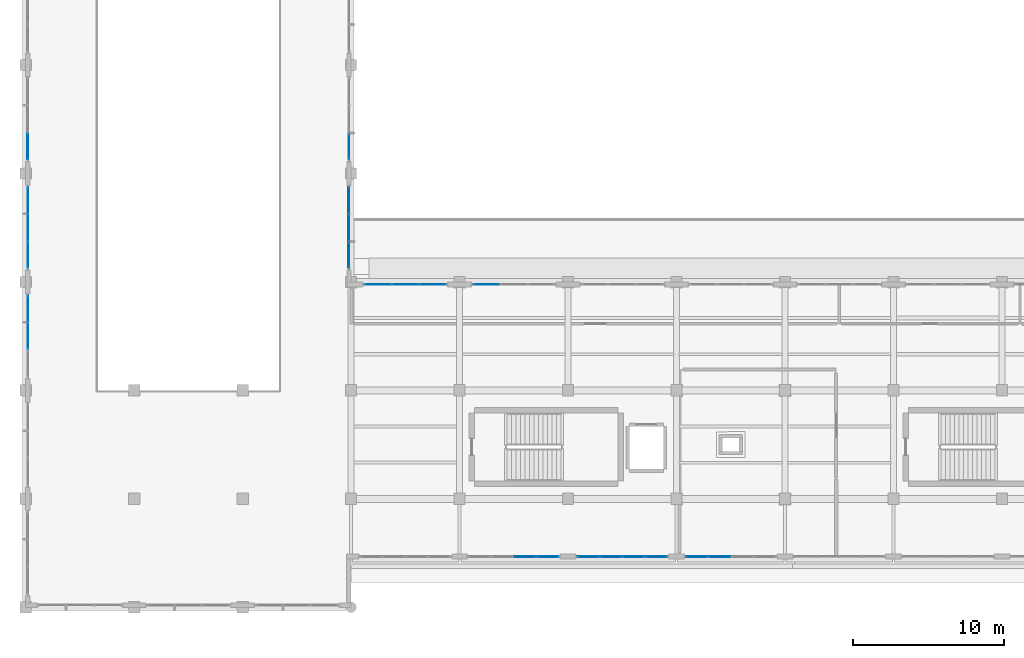
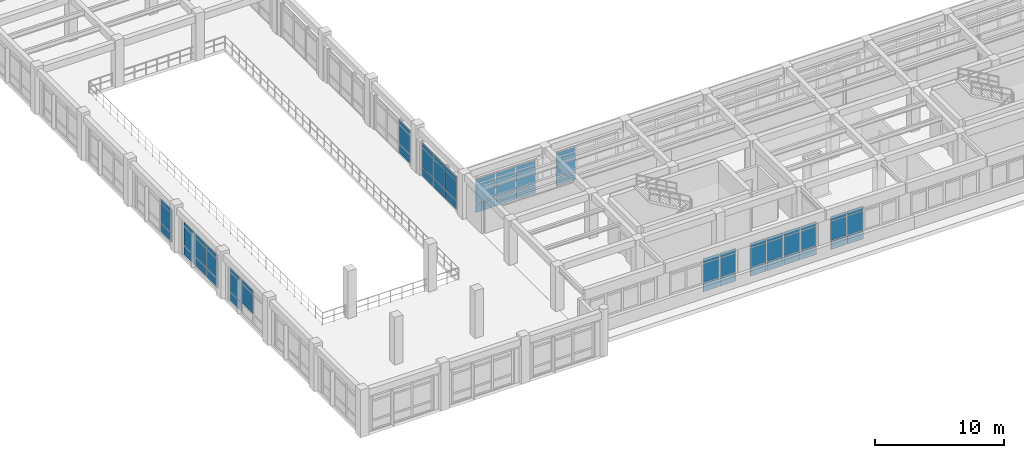
# One storey, part 33 of 64: 65 plates, 10 elements without a shape of their own.
"""IFC4 building model written with IfcOpenShell, lengths in metres."""

from ifc_helpers import new_model, si_unit, direction, frame, origin, origin_2d, place, context, subcontext, project, spatial, rectangle, extrude, material, layer, layer_set, type_object, element, aggregate, save


model = new_model("IFC4")

# Units and contexts
model_context = context("Model", 3, precision=1e-05, world=origin(), true_north=direction((0.0, 1.0)))
body_context = subcontext(model_context, "Body", "Model", "MODEL_VIEW")
ifc_project = project(units=[si_unit("LENGTHUNIT", "METRE"), si_unit("AREAUNIT", "SQUARE_METRE"), si_unit("VOLUMEUNIT", "CUBIC_METRE"), si_unit("PLANEANGLEUNIT", "RADIAN"), si_unit("MASSUNIT", "GRAM", prefix="KILO")], contexts=[model_context])

# Site, building, storey
site_placement = place(None, origin())
site = spatial("IfcSite", under=ifc_project, at=site_placement, CompositionType="ELEMENT")
building_placement = place(site_placement, origin())
building = spatial("IfcBuilding", under=site, at=building_placement, Name="Solenvale Faculty of Natural Sciences", CompositionType="ELEMENT")
storey_placement = place(building_placement, frame((0.0, 0.0, 18.0)))
storey = spatial("IfcBuildingStorey", under=building, at=storey_placement, Name="L04", CompositionType="ELEMENT", Elevation=18.0)

# Curtain wall, plates
ifc_material_1 = material(Name="Anodised bronze aluminium", Category="aluminium")
ifc_layer_1 = layer(ifc_material_1, 0.215087890625)
ifc_layer_set_1 = layer_set([ifc_layer_1], Name="Anodised bronze aluminium")
curtain_wall_type_1 = type_object("IfcCurtainWallType", Name="CW-ATR-UNIT", PredefinedType="USERDEFINED", material=ifc_layer_set_1)
curtain_wall_1_placement = place(storey_placement, origin())
curtain_wall_1 = element("IfcCurtainWall", 1, at=curtain_wall_1_placement, inside=storey, type_object=curtain_wall_type_1, Name="L04 Curtain Wall CW-L04-P1-E1-B2", ObjectType="UNITISED CURTAIN WALL", PredefinedType="USERDEFINED")
ifc_material_2 = material(Name="North-light skylight glass", Category="glass")
ifc_layer_2 = layer(ifc_material_2, 0.028076171875)
ifc_layer_set_2 = layer_set([ifc_layer_2], Name="North-light skylight glass")
plate_type_1 = type_object("IfcPlateType", Name="CWP-PNL-28", PredefinedType="CURTAIN_PANEL", material=ifc_layer_set_2)
plate_1_placement = place(storey_placement, frame((57.45751953125, 44.9853515625, 0.074951171875), z_axis=(0.0, 0.0, 1.0), x_axis=(0.0, 1.0, 0.0)))
plate_1 = element("IfcPlate", 2, at=plate_1_placement, type_object=plate_type_1, Name="CW-01 panel 1.1", PredefinedType="CURTAIN_PANEL", context=body_context, shape_type="SweptSolid", body=[
    extrude(rectangle(XDim=1.720947265625, YDim=0.028076171875, at=origin_2d()), origin(), (0.0, 0.0, 1.0), 0.78759765625),
])
plate_2_placement = place(storey_placement, frame((57.45751953125, 44.9853515625, 0.9375), z_axis=(0.0, 0.0, 1.0), x_axis=(0.0, 1.0, 0.0)))
plate_2 = element("IfcPlate", 3, at=plate_2_placement, type_object=plate_type_1, Name="CW-01 panel 1.2", PredefinedType="CURTAIN_PANEL", context=body_context, shape_type="SweptSolid", body=[
    extrude(rectangle(XDim=1.720947265625, YDim=0.028076171875, at=origin_2d()), origin(), (0.0, 0.0, 1.0), 1.784912109375),
])
plate_3_placement = place(storey_placement, frame((57.45751953125, 44.9853515625, 2.79736328125), z_axis=(0.0, 0.0, 1.0), x_axis=(0.0, 1.0, 0.0)))
plate_3 = element("IfcPlate", 4, at=plate_3_placement, type_object=plate_type_1, Name="CW-01 panel 1.3", PredefinedType="CURTAIN_PANEL", context=body_context, shape_type="SweptSolid", body=[
    extrude(rectangle(XDim=1.720947265625, YDim=0.028076171875, at=origin_2d()), origin(), (0.0, 0.0, 1.0), 0.387451171875),
])
aggregate(curtain_wall_1, [plate_1, plate_2, plate_3])

curtain_wall_2_placement = place(storey_placement, origin())
curtain_wall_2 = element("IfcCurtainWall", 5, at=curtain_wall_2_placement, inside=storey, type_object=curtain_wall_type_1, Name="L04 Curtain Wall CW-L04-P1-E3-B8", ObjectType="UNITISED CURTAIN WALL", PredefinedType="USERDEFINED")
plate_4_placement = place(storey_placement, frame((36.142578125, 41.41455078125, 0.074951171875), z_axis=(0.0, 0.0, 1.0), x_axis=(0.0, -1.0, 0.0)))
plate_4 = element("IfcPlate", 6, at=plate_4_placement, type_object=plate_type_1, Name="CW-01 panel 1.1", PredefinedType="CURTAIN_PANEL", context=body_context, shape_type="SweptSolid", body=[
    extrude(rectangle(XDim=1.720947265625, YDim=0.028076171875, at=origin_2d()), origin(), (0.0, 0.0, 1.0), 0.78759765625),
])
plate_5_placement = place(storey_placement, frame((36.142578125, 41.41455078125, 0.9375), z_axis=(0.0, 0.0, 1.0), x_axis=(0.0, -1.0, 0.0)))
plate_5 = element("IfcPlate", 7, at=plate_5_placement, type_object=plate_type_1, Name="CW-01 panel 1.2", PredefinedType="CURTAIN_PANEL", context=body_context, shape_type="SweptSolid", body=[
    extrude(rectangle(XDim=1.720947265625, YDim=0.028076171875, at=origin_2d()), origin(), (0.0, 0.0, 1.0), 1.784912109375),
])
plate_6_placement = place(storey_placement, frame((36.142578125, 41.41455078125, 2.79736328125), z_axis=(0.0, 0.0, 1.0), x_axis=(0.0, -1.0, 0.0)))
plate_6 = element("IfcPlate", 8, at=plate_6_placement, type_object=plate_type_1, Name="CW-01 panel 1.3", PredefinedType="CURTAIN_PANEL", context=body_context, shape_type="SweptSolid", body=[
    extrude(rectangle(XDim=1.720947265625, YDim=0.028076171875, at=origin_2d()), origin(), (0.0, 0.0, 1.0), 0.387451171875),
])
plate_7_placement = place(storey_placement, frame((36.142578125, 39.60009765625, 0.074951171875), z_axis=(0.0, 0.0, 1.0), x_axis=(0.0, -1.0, 0.0)))
plate_7 = element("IfcPlate", 9, at=plate_7_placement, type_object=plate_type_1, Name="CW-01 panel 2.1", PredefinedType="CURTAIN_PANEL", context=body_context, shape_type="SweptSolid", body=[
    extrude(rectangle(XDim=1.75830078125, YDim=0.028076171875, at=origin_2d()), origin(), (0.0, 0.0, 1.0), 0.78759765625),
])
plate_8_placement = place(storey_placement, frame((36.142578125, 39.60009765625, 0.9375), z_axis=(0.0, 0.0, 1.0), x_axis=(0.0, -1.0, 0.0)))
plate_8 = element("IfcPlate", 10, at=plate_8_placement, type_object=plate_type_1, Name="CW-01 panel 2.2", PredefinedType="CURTAIN_PANEL", context=body_context, shape_type="SweptSolid", body=[
    extrude(rectangle(XDim=1.75830078125, YDim=0.028076171875, at=origin_2d()), origin(), (0.0, 0.0, 1.0), 1.784912109375),
])
plate_9_placement = place(storey_placement, frame((36.142578125, 39.60009765625, 2.79736328125), z_axis=(0.0, 0.0, 1.0), x_axis=(0.0, -1.0, 0.0)))
plate_9 = element("IfcPlate", 11, at=plate_9_placement, type_object=plate_type_1, Name="CW-01 panel 2.3", PredefinedType="CURTAIN_PANEL", context=body_context, shape_type="SweptSolid", body=[
    extrude(rectangle(XDim=1.75830078125, YDim=0.028076171875, at=origin_2d()), origin(), (0.0, 0.0, 1.0), 0.387451171875),
])
plate_10_placement = place(storey_placement, frame((36.142578125, 37.785400390625, 0.074951171875), z_axis=(0.0, 0.0, 1.0), x_axis=(0.0, -1.0, 0.0)))
plate_10 = element("IfcPlate", 12, at=plate_10_placement, type_object=plate_type_1, Name="CW-01 panel 3.1", PredefinedType="CURTAIN_PANEL", context=body_context, shape_type="SweptSolid", body=[
    extrude(rectangle(XDim=1.720947265625, YDim=0.028076171875, at=origin_2d()), origin(), (0.0, 0.0, 1.0), 0.78759765625),
])
plate_11_placement = place(storey_placement, frame((36.142578125, 37.785400390625, 0.9375), z_axis=(0.0, 0.0, 1.0), x_axis=(0.0, -1.0, 0.0)))
plate_11 = element("IfcPlate", 13, at=plate_11_placement, type_object=plate_type_1, Name="CW-01 panel 3.2", PredefinedType="CURTAIN_PANEL", context=body_context, shape_type="SweptSolid", body=[
    extrude(rectangle(XDim=1.720947265625, YDim=0.028076171875, at=origin_2d()), origin(), (0.0, 0.0, 1.0), 1.784912109375),
])
plate_12_placement = place(storey_placement, frame((36.142578125, 37.785400390625, 2.79736328125), z_axis=(0.0, 0.0, 1.0), x_axis=(0.0, -1.0, 0.0)))
plate_12 = element("IfcPlate", 14, at=plate_12_placement, type_object=plate_type_1, Name="CW-01 panel 3.3", PredefinedType="CURTAIN_PANEL", context=body_context, shape_type="SweptSolid", body=[
    extrude(rectangle(XDim=1.720947265625, YDim=0.028076171875, at=origin_2d()), origin(), (0.0, 0.0, 1.0), 0.387451171875),
])
aggregate(curtain_wall_2, [plate_4, plate_5, plate_6, plate_7, plate_8, plate_9, plate_10, plate_11, plate_12])

curtain_wall_3_placement = place(storey_placement, origin())
curtain_wall_3 = element("IfcCurtainWall", 15, at=curtain_wall_3_placement, inside=storey, type_object=curtain_wall_type_1, Name="L04 Curtain Wall CW-L04-P1-E3-B9", ObjectType="UNITISED CURTAIN WALL", PredefinedType="USERDEFINED")
ifc_material_3 = material(Name="Triple low-E insulated glass", Category="glass")
ifc_layer_3 = layer(ifc_material_3, 0.031982421875)
ifc_layer_set_3 = layer_set([ifc_layer_3], Name="Triple low-E insulated glass")
plate_type_2 = type_object("IfcPlateType", Name="CWP-PNL-32", PredefinedType="CURTAIN_PANEL", material=ifc_layer_set_3)
plate_13_placement = place(storey_placement, frame((36.142578125, 34.214599609375, 0.074951171875), z_axis=(0.0, 0.0, 1.0), x_axis=(0.0, -1.0, 0.0)))
plate_13 = element("IfcPlate", 16, at=plate_13_placement, type_object=plate_type_2, Name="CW-01 panel 1.1", PredefinedType="CURTAIN_PANEL", context=body_context, shape_type="SweptSolid", body=[
    extrude(rectangle(XDim=1.720947265625, YDim=0.031982421875, at=origin_2d()), origin(), (0.0, 0.0, 1.0), 0.78759765625),
])
plate_14_placement = place(storey_placement, frame((36.142578125, 34.214599609375, 0.9375), z_axis=(0.0, 0.0, 1.0), x_axis=(0.0, -1.0, 0.0)))
plate_14 = element("IfcPlate", 17, at=plate_14_placement, type_object=plate_type_2, Name="CW-01 panel 1.2", PredefinedType="CURTAIN_PANEL", context=body_context, shape_type="SweptSolid", body=[
    extrude(rectangle(XDim=1.720947265625, YDim=0.031982421875, at=origin_2d()), origin(), (0.0, 0.0, 1.0), 1.784912109375),
])
plate_15_placement = place(storey_placement, frame((36.142578125, 34.214599609375, 2.79736328125), z_axis=(0.0, 0.0, 1.0), x_axis=(0.0, -1.0, 0.0)))
plate_15 = element("IfcPlate", 18, at=plate_15_placement, type_object=plate_type_2, Name="CW-01 panel 1.3", PredefinedType="CURTAIN_PANEL", context=body_context, shape_type="SweptSolid", body=[
    extrude(rectangle(XDim=1.720947265625, YDim=0.031982421875, at=origin_2d()), origin(), (0.0, 0.0, 1.0), 0.387451171875),
])
plate_16_placement = place(storey_placement, frame((36.142578125, 32.39990234375, 0.9375), z_axis=(0.0, 0.0, 1.0), x_axis=(0.0, -1.0, 0.0)))
plate_16 = element("IfcPlate", 19, at=plate_16_placement, type_object=plate_type_2, Name="CW-01 panel 2.2", PredefinedType="CURTAIN_PANEL", context=body_context, shape_type="SweptSolid", body=[
    extrude(rectangle(XDim=1.75830078125, YDim=0.031982421875, at=origin_2d()), origin(), (0.0, 0.0, 1.0), 1.784912109375),
])
plate_17_placement = place(storey_placement, frame((36.142578125, 32.39990234375, 2.79736328125), z_axis=(0.0, 0.0, 1.0), x_axis=(0.0, -1.0, 0.0)))
plate_17 = element("IfcPlate", 20, at=plate_17_placement, type_object=plate_type_2, Name="CW-01 panel 2.3", PredefinedType="CURTAIN_PANEL", context=body_context, shape_type="SweptSolid", body=[
    extrude(rectangle(XDim=1.75830078125, YDim=0.031982421875, at=origin_2d()), origin(), (0.0, 0.0, 1.0), 0.387451171875),
])
aggregate(curtain_wall_3, [plate_13, plate_14, plate_15, plate_16, plate_17])

ifc_layer_4 = layer(ifc_material_1, 0.18994140625)
ifc_layer_set_4 = layer_set([ifc_layer_4], Name="Anodised bronze aluminium")
curtain_wall_type_2 = type_object("IfcCurtainWallType", Name="CW-TRAY-REC", PredefinedType="USERDEFINED", material=ifc_layer_set_4)
curtain_wall_4_placement = place(storey_placement, origin())
curtain_wall_4 = element("IfcCurtainWall", 21, at=curtain_wall_4_placement, inside=storey, type_object=curtain_wall_type_2, Name="L04 Curtain Wall CW-L04-P1-E8-B7", ObjectType="UNITISED CURTAIN WALL", PredefinedType="USERDEFINED")
ifc_layer_5 = layer(ifc_material_3, 0.0439453125)
ifc_layer_set_5 = layer_set([ifc_layer_5], Name="Triple low-E insulated glass")
plate_type_3 = type_object("IfcPlateType", Name="CWP-PNL-44", PredefinedType="CURTAIN_PANEL", material=ifc_layer_set_5)
plate_18_placement = place(storey_placement, frame((66.58544921875, 35.83740234375, 0.074951171875), z_axis=(0.0, 0.0, 1.0), x_axis=(-1.0, 0.0, 0.0)))
plate_18 = element("IfcPlate", 22, at=plate_18_placement, type_object=plate_type_3, Name="CW-02 panel 3.1", PredefinedType="CURTAIN_PANEL", context=body_context, shape_type="SweptSolid", body=[
    extrude(rectangle(XDim=1.720947265625, YDim=0.0439453125, at=origin_2d()), origin(), (0.0, 0.0, 1.0), 0.78759765625),
])
plate_19_placement = place(storey_placement, frame((66.58544921875, 35.83740234375, 0.9375), z_axis=(0.0, 0.0, 1.0), x_axis=(-1.0, 0.0, 0.0)))
plate_19 = element("IfcPlate", 23, at=plate_19_placement, type_object=plate_type_3, Name="CW-02 panel 3.2", PredefinedType="CURTAIN_PANEL", context=body_context, shape_type="SweptSolid", body=[
    extrude(rectangle(XDim=1.720947265625, YDim=0.0439453125, at=origin_2d()), origin(), (0.0, 0.0, 1.0), 1.784912109375),
])
plate_20_placement = place(storey_placement, frame((66.58544921875, 35.83740234375, 2.79736328125), z_axis=(0.0, 0.0, 1.0), x_axis=(-1.0, 0.0, 0.0)))
plate_20 = element("IfcPlate", 24, at=plate_20_placement, type_object=plate_type_3, Name="CW-02 panel 3.3", PredefinedType="CURTAIN_PANEL", context=body_context, shape_type="SweptSolid", body=[
    extrude(rectangle(XDim=1.720947265625, YDim=0.0439453125, at=origin_2d()), origin(), (0.0, 0.0, 1.0), 0.387451171875),
])
aggregate(curtain_wall_4, [plate_18, plate_19, plate_20])

curtain_wall_5_placement = place(storey_placement, origin())
curtain_wall_5 = element("IfcCurtainWall", 25, at=curtain_wall_5_placement, inside=storey, type_object=curtain_wall_type_2, Name="L04 Curtain Wall CW-L04-P1-E6-B2", ObjectType="UNITISED CURTAIN WALL", PredefinedType="USERDEFINED")
ifc_layer_6 = layer(ifc_material_1, 0.048095703125)
ifc_layer_set_6 = layer_set([ifc_layer_6], Name="Anodised bronze aluminium")
plate_type_4 = type_object("IfcPlateType", Name="CWP-PNL-48", PredefinedType="CURTAIN_PANEL", material=ifc_layer_set_6)
plate_21_placement = place(storey_placement, frame((69.155029296875, 17.762451171875, 0.074951171875), z_axis=(0.0, 0.0, 1.0), x_axis=(1.0, 0.0, 0.0)))
plate_21 = element("IfcPlate", 26, at=plate_21_placement, type_object=plate_type_4, Name="CW-02 panel 3.1", PredefinedType="CURTAIN_PANEL", context=body_context, shape_type="SweptSolid", body=[
    extrude(rectangle(XDim=1.43505859375, YDim=0.048095703125, at=origin_2d()), origin(), (0.0, 0.0, 1.0), 0.78759765625),
])
plate_22_placement = place(storey_placement, frame((69.155029296875, 17.762451171875, 0.9375), z_axis=(0.0, 0.0, 1.0), x_axis=(1.0, 0.0, 0.0)))
plate_22 = element("IfcPlate", 27, at=plate_22_placement, type_object=plate_type_4, Name="CW-02 panel 3.2", PredefinedType="CURTAIN_PANEL", context=body_context, shape_type="SweptSolid", body=[
    extrude(rectangle(XDim=1.43505859375, YDim=0.048095703125, at=origin_2d()), origin(), (0.0, 0.0, 1.0), 1.784912109375),
])
plate_23_placement = place(storey_placement, frame((69.155029296875, 17.762451171875, 2.79736328125), z_axis=(0.0, 0.0, 1.0), x_axis=(1.0, 0.0, 0.0)))
plate_23 = element("IfcPlate", 28, at=plate_23_placement, type_object=plate_type_4, Name="CW-02 panel 3.3", PredefinedType="CURTAIN_PANEL", context=body_context, shape_type="SweptSolid", body=[
    extrude(rectangle(XDim=1.43505859375, YDim=0.048095703125, at=origin_2d()), origin(), (0.0, 0.0, 1.0), 0.387451171875),
])
plate_24_placement = place(storey_placement, frame((70.646240234375, 17.762451171875, 0.074951171875), z_axis=(0.0, 0.0, 1.0), x_axis=(1.0, 0.0, 0.0)))
plate_24 = element("IfcPlate", 29, at=plate_24_placement, type_object=plate_type_4, Name="CW-02 panel 4.1", PredefinedType="CURTAIN_PANEL", context=body_context, shape_type="SweptSolid", body=[
    extrude(rectangle(XDim=1.3974609375, YDim=0.048095703125, at=origin_2d()), origin(), (0.0, 0.0, 1.0), 0.78759765625),
])
plate_25_placement = place(storey_placement, frame((70.646240234375, 17.762451171875, 0.9375), z_axis=(0.0, 0.0, 1.0), x_axis=(1.0, 0.0, 0.0)))
plate_25 = element("IfcPlate", 30, at=plate_25_placement, type_object=plate_type_4, Name="CW-02 panel 4.2", PredefinedType="CURTAIN_PANEL", context=body_context, shape_type="SweptSolid", body=[
    extrude(rectangle(XDim=1.3974609375, YDim=0.048095703125, at=origin_2d()), origin(), (0.0, 0.0, 1.0), 1.784912109375),
])
plate_26_placement = place(storey_placement, frame((70.646240234375, 17.762451171875, 2.79736328125), z_axis=(0.0, 0.0, 1.0), x_axis=(1.0, 0.0, 0.0)))
plate_26 = element("IfcPlate", 31, at=plate_26_placement, type_object=plate_type_4, Name="CW-02 panel 4.3", PredefinedType="CURTAIN_PANEL", context=body_context, shape_type="SweptSolid", body=[
    extrude(rectangle(XDim=1.3974609375, YDim=0.048095703125, at=origin_2d()), origin(), (0.0, 0.0, 1.0), 0.387451171875),
])
aggregate(curtain_wall_5, [plate_21, plate_22, plate_23, plate_24, plate_25, plate_26])

curtain_wall_6_placement = place(storey_placement, origin())
curtain_wall_6 = element("IfcCurtainWall", 32, at=curtain_wall_6_placement, inside=storey, type_object=curtain_wall_type_2, Name="L04 Curtain Wall CW-L04-P1-E8-B8", ObjectType="UNITISED CURTAIN WALL", PredefinedType="USERDEFINED")
plate_27_placement = place(storey_placement, frame((63.0146484375, 35.83740234375, 0.074951171875), z_axis=(0.0, 0.0, 1.0), x_axis=(-1.0, 0.0, 0.0)))
plate_27 = element("IfcPlate", 33, at=plate_27_placement, type_object=plate_type_4, Name="CW-02 panel 1.1", PredefinedType="CURTAIN_PANEL", context=body_context, shape_type="SweptSolid", body=[
    extrude(rectangle(XDim=1.720947265625, YDim=0.048095703125, at=origin_2d()), origin(), (0.0, 0.0, 1.0), 0.78759765625),
])
plate_28_placement = place(storey_placement, frame((63.0146484375, 35.83740234375, 0.9375), z_axis=(0.0, 0.0, 1.0), x_axis=(-1.0, 0.0, 0.0)))
plate_28 = element("IfcPlate", 34, at=plate_28_placement, type_object=plate_type_4, Name="CW-02 panel 1.2", PredefinedType="CURTAIN_PANEL", context=body_context, shape_type="SweptSolid", body=[
    extrude(rectangle(XDim=1.720947265625, YDim=0.048095703125, at=origin_2d()), origin(), (0.0, 0.0, 1.0), 1.784912109375),
])
plate_29_placement = place(storey_placement, frame((63.0146484375, 35.83740234375, 2.79736328125), z_axis=(0.0, 0.0, 1.0), x_axis=(-1.0, 0.0, 0.0)))
plate_29 = element("IfcPlate", 35, at=plate_29_placement, type_object=plate_type_4, Name="CW-02 panel 1.3", PredefinedType="CURTAIN_PANEL", context=body_context, shape_type="SweptSolid", body=[
    extrude(rectangle(XDim=1.720947265625, YDim=0.048095703125, at=origin_2d()), origin(), (0.0, 0.0, 1.0), 0.387451171875),
])
plate_30_placement = place(storey_placement, frame((61.199951171875, 35.83740234375, 0.074951171875), z_axis=(0.0, 0.0, 1.0), x_axis=(-1.0, 0.0, 0.0)))
plate_30 = element("IfcPlate", 36, at=plate_30_placement, type_object=plate_type_4, Name="CW-02 panel 2.1", PredefinedType="CURTAIN_PANEL", context=body_context, shape_type="SweptSolid", body=[
    extrude(rectangle(XDim=1.75830078125, YDim=0.048095703125, at=origin_2d()), origin(), (0.0, 0.0, 1.0), 0.78759765625),
])
plate_31_placement = place(storey_placement, frame((61.199951171875, 35.83740234375, 0.9375), z_axis=(0.0, 0.0, 1.0), x_axis=(-1.0, 0.0, 0.0)))
plate_31 = element("IfcPlate", 37, at=plate_31_placement, type_object=plate_type_4, Name="CW-02 panel 2.2", PredefinedType="CURTAIN_PANEL", context=body_context, shape_type="SweptSolid", body=[
    extrude(rectangle(XDim=1.75830078125, YDim=0.048095703125, at=origin_2d()), origin(), (0.0, 0.0, 1.0), 1.784912109375),
])
plate_32_placement = place(storey_placement, frame((61.199951171875, 35.83740234375, 2.79736328125), z_axis=(0.0, 0.0, 1.0), x_axis=(-1.0, 0.0, 0.0)))
plate_32 = element("IfcPlate", 38, at=plate_32_placement, type_object=plate_type_4, Name="CW-02 panel 2.3", PredefinedType="CURTAIN_PANEL", context=body_context, shape_type="SweptSolid", body=[
    extrude(rectangle(XDim=1.75830078125, YDim=0.048095703125, at=origin_2d()), origin(), (0.0, 0.0, 1.0), 0.387451171875),
])
plate_33_placement = place(storey_placement, frame((59.385498046875, 35.83740234375, 0.074951171875), z_axis=(0.0, 0.0, 1.0), x_axis=(-1.0, 0.0, 0.0)))
plate_33 = element("IfcPlate", 39, at=plate_33_placement, type_object=plate_type_4, Name="CW-02 panel 3.1", PredefinedType="CURTAIN_PANEL", context=body_context, shape_type="SweptSolid", body=[
    extrude(rectangle(XDim=1.720947265625, YDim=0.048095703125, at=origin_2d()), origin(), (0.0, 0.0, 1.0), 0.78759765625),
])
plate_34_placement = place(storey_placement, frame((59.385498046875, 35.83740234375, 0.9375), z_axis=(0.0, 0.0, 1.0), x_axis=(-1.0, 0.0, 0.0)))
plate_34 = element("IfcPlate", 40, at=plate_34_placement, type_object=plate_type_4, Name="CW-02 panel 3.2", PredefinedType="CURTAIN_PANEL", context=body_context, shape_type="SweptSolid", body=[
    extrude(rectangle(XDim=1.720947265625, YDim=0.048095703125, at=origin_2d()), origin(), (0.0, 0.0, 1.0), 1.784912109375),
])
plate_35_placement = place(storey_placement, frame((59.385498046875, 35.83740234375, 2.79736328125), z_axis=(0.0, 0.0, 1.0), x_axis=(-1.0, 0.0, 0.0)))
plate_35 = element("IfcPlate", 41, at=plate_35_placement, type_object=plate_type_4, Name="CW-02 panel 3.3", PredefinedType="CURTAIN_PANEL", context=body_context, shape_type="SweptSolid", body=[
    extrude(rectangle(XDim=1.720947265625, YDim=0.048095703125, at=origin_2d()), origin(), (0.0, 0.0, 1.0), 0.387451171875),
])
aggregate(curtain_wall_6, [plate_27, plate_28, plate_29, plate_30, plate_31, plate_32, plate_33, plate_34, plate_35])

curtain_wall_7_placement = place(storey_placement, origin())
curtain_wall_7 = element("IfcCurtainWall", 42, at=curtain_wall_7_placement, inside=storey, type_object=curtain_wall_type_2, Name="L04 Curtain Wall CW-L04-P1-E6-B3", ObjectType="UNITISED CURTAIN WALL", PredefinedType="USERDEFINED")
ifc_layer_7 = layer(ifc_material_1, 0.053955078125)
ifc_layer_set_7 = layer_set([ifc_layer_7], Name="Anodised bronze aluminium")
plate_type_5 = type_object("IfcPlateType", Name="CWP-PNL-54", PredefinedType="CURTAIN_PANEL", material=ifc_layer_set_7)
plate_36_placement = place(storey_placement, frame((73.353759765625, 17.762451171875, 0.074951171875), z_axis=(0.0, 0.0, 1.0), x_axis=(1.0, 0.0, 0.0)))
plate_36 = element("IfcPlate", 43, at=plate_36_placement, type_object=plate_type_5, Name="CW-02 panel 1.1", PredefinedType="CURTAIN_PANEL", context=body_context, shape_type="SweptSolid", body=[
    extrude(rectangle(XDim=1.3974609375, YDim=0.053955078125, at=origin_2d()), origin(), (0.0, 0.0, 1.0), 0.78759765625),
])
plate_37_placement = place(storey_placement, frame((73.353759765625, 17.762451171875, 0.9375), z_axis=(0.0, 0.0, 1.0), x_axis=(1.0, 0.0, 0.0)))
plate_37 = element("IfcPlate", 44, at=plate_37_placement, type_object=plate_type_5, Name="CW-02 panel 1.2", PredefinedType="CURTAIN_PANEL", context=body_context, shape_type="SweptSolid", body=[
    extrude(rectangle(XDim=1.3974609375, YDim=0.053955078125, at=origin_2d()), origin(), (0.0, 0.0, 1.0), 1.784912109375),
])
plate_38_placement = place(storey_placement, frame((73.353759765625, 17.762451171875, 2.79736328125), z_axis=(0.0, 0.0, 1.0), x_axis=(1.0, 0.0, 0.0)))
plate_38 = element("IfcPlate", 45, at=plate_38_placement, type_object=plate_type_5, Name="CW-02 panel 1.3", PredefinedType="CURTAIN_PANEL", context=body_context, shape_type="SweptSolid", body=[
    extrude(rectangle(XDim=1.3974609375, YDim=0.053955078125, at=origin_2d()), origin(), (0.0, 0.0, 1.0), 0.387451171875),
])
plate_39_placement = place(storey_placement, frame((74.844970703125, 17.762451171875, 0.074951171875), z_axis=(0.0, 0.0, 1.0), x_axis=(1.0, 0.0, 0.0)))
plate_39 = element("IfcPlate", 46, at=plate_39_placement, type_object=plate_type_5, Name="CW-02 panel 2.1", PredefinedType="CURTAIN_PANEL", context=body_context, shape_type="SweptSolid", body=[
    extrude(rectangle(XDim=1.43505859375, YDim=0.053955078125, at=origin_2d()), origin(), (0.0, 0.0, 1.0), 0.78759765625),
])
plate_40_placement = place(storey_placement, frame((74.844970703125, 17.762451171875, 0.9375), z_axis=(0.0, 0.0, 1.0), x_axis=(1.0, 0.0, 0.0)))
plate_40 = element("IfcPlate", 47, at=plate_40_placement, type_object=plate_type_5, Name="CW-02 panel 2.2", PredefinedType="CURTAIN_PANEL", context=body_context, shape_type="SweptSolid", body=[
    extrude(rectangle(XDim=1.43505859375, YDim=0.053955078125, at=origin_2d()), origin(), (0.0, 0.0, 1.0), 1.784912109375),
])
plate_41_placement = place(storey_placement, frame((74.844970703125, 17.762451171875, 2.79736328125), z_axis=(0.0, 0.0, 1.0), x_axis=(1.0, 0.0, 0.0)))
plate_41 = element("IfcPlate", 48, at=plate_41_placement, type_object=plate_type_5, Name="CW-02 panel 2.3", PredefinedType="CURTAIN_PANEL", context=body_context, shape_type="SweptSolid", body=[
    extrude(rectangle(XDim=1.43505859375, YDim=0.053955078125, at=origin_2d()), origin(), (0.0, 0.0, 1.0), 0.387451171875),
])
plate_42_placement = place(storey_placement, frame((76.35498046875, 17.762451171875, 0.074951171875), z_axis=(0.0, 0.0, 1.0), x_axis=(1.0, 0.0, 0.0)))
plate_42 = element("IfcPlate", 49, at=plate_42_placement, type_object=plate_type_5, Name="CW-02 panel 3.1", PredefinedType="CURTAIN_PANEL", context=body_context, shape_type="SweptSolid", body=[
    extrude(rectangle(XDim=1.43505859375, YDim=0.053955078125, at=origin_2d()), origin(), (0.0, 0.0, 1.0), 0.78759765625),
])
plate_43_placement = place(storey_placement, frame((76.35498046875, 17.762451171875, 0.9375), z_axis=(0.0, 0.0, 1.0), x_axis=(1.0, 0.0, 0.0)))
plate_43 = element("IfcPlate", 50, at=plate_43_placement, type_object=plate_type_5, Name="CW-02 panel 3.2", PredefinedType="CURTAIN_PANEL", context=body_context, shape_type="SweptSolid", body=[
    extrude(rectangle(XDim=1.43505859375, YDim=0.053955078125, at=origin_2d()), origin(), (0.0, 0.0, 1.0), 1.784912109375),
])
plate_44_placement = place(storey_placement, frame((76.35498046875, 17.762451171875, 2.79736328125), z_axis=(0.0, 0.0, 1.0), x_axis=(1.0, 0.0, 0.0)))
plate_44 = element("IfcPlate", 51, at=plate_44_placement, type_object=plate_type_5, Name="CW-02 panel 3.3", PredefinedType="CURTAIN_PANEL", context=body_context, shape_type="SweptSolid", body=[
    extrude(rectangle(XDim=1.43505859375, YDim=0.053955078125, at=origin_2d()), origin(), (0.0, 0.0, 1.0), 0.387451171875),
])
plate_45_placement = place(storey_placement, frame((77.84619140625, 17.762451171875, 0.074951171875), z_axis=(0.0, 0.0, 1.0), x_axis=(1.0, 0.0, 0.0)))
plate_45 = element("IfcPlate", 52, at=plate_45_placement, type_object=plate_type_5, Name="CW-02 panel 4.1", PredefinedType="CURTAIN_PANEL", context=body_context, shape_type="SweptSolid", body=[
    extrude(rectangle(XDim=1.3974609375, YDim=0.053955078125, at=origin_2d()), origin(), (0.0, 0.0, 1.0), 0.78759765625),
])
plate_46_placement = place(storey_placement, frame((77.84619140625, 17.762451171875, 0.9375), z_axis=(0.0, 0.0, 1.0), x_axis=(1.0, 0.0, 0.0)))
plate_46 = element("IfcPlate", 53, at=plate_46_placement, type_object=plate_type_5, Name="CW-02 panel 4.2", PredefinedType="CURTAIN_PANEL", context=body_context, shape_type="SweptSolid", body=[
    extrude(rectangle(XDim=1.3974609375, YDim=0.053955078125, at=origin_2d()), origin(), (0.0, 0.0, 1.0), 1.784912109375),
])
plate_47_placement = place(storey_placement, frame((77.84619140625, 17.762451171875, 2.79736328125), z_axis=(0.0, 0.0, 1.0), x_axis=(1.0, 0.0, 0.0)))
plate_47 = element("IfcPlate", 54, at=plate_47_placement, type_object=plate_type_5, Name="CW-02 panel 4.3", PredefinedType="CURTAIN_PANEL", context=body_context, shape_type="SweptSolid", body=[
    extrude(rectangle(XDim=1.3974609375, YDim=0.053955078125, at=origin_2d()), origin(), (0.0, 0.0, 1.0), 0.387451171875),
])
aggregate(curtain_wall_7, [plate_36, plate_37, plate_38, plate_39, plate_40, plate_41, plate_42, plate_43, plate_44, plate_45, plate_46, plate_47])

curtain_wall_8_placement = place(storey_placement, origin())
curtain_wall_8 = element("IfcCurtainWall", 55, at=curtain_wall_8_placement, inside=storey, type_object=curtain_wall_type_1, Name="L04 Curtain Wall CW-L04-P1-E1-B1", ObjectType="UNITISED CURTAIN WALL", PredefinedType="USERDEFINED")
ifc_layer_8 = layer(ifc_material_1, 0.06005859375)
ifc_layer_set_8 = layer_set([ifc_layer_8], Name="Anodised bronze aluminium")
plate_type_6 = type_object("IfcPlateType", Name="CWP-PNL-60", PredefinedType="CURTAIN_PANEL", material=ifc_layer_set_8)
plate_48_placement = place(storey_placement, frame((57.45751953125, 37.785400390625, 0.074951171875), z_axis=(0.0, 0.0, 1.0), x_axis=(0.0, 1.0, 0.0)))
plate_48 = element("IfcPlate", 56, at=plate_48_placement, type_object=plate_type_6, Name="CW-01 panel 1.1", PredefinedType="CURTAIN_PANEL", context=body_context, shape_type="SweptSolid", body=[
    extrude(rectangle(XDim=1.720947265625, YDim=0.06005859375, at=origin_2d()), origin(), (0.0, 0.0, 1.0), 0.78759765625),
])
plate_49_placement = place(storey_placement, frame((57.45751953125, 37.785400390625, 0.9375), z_axis=(0.0, 0.0, 1.0), x_axis=(0.0, 1.0, 0.0)))
plate_49 = element("IfcPlate", 57, at=plate_49_placement, type_object=plate_type_6, Name="CW-01 panel 1.2", PredefinedType="CURTAIN_PANEL", context=body_context, shape_type="SweptSolid", body=[
    extrude(rectangle(XDim=1.720947265625, YDim=0.06005859375, at=origin_2d()), origin(), (0.0, 0.0, 1.0), 1.784912109375),
])
plate_50_placement = place(storey_placement, frame((57.45751953125, 37.785400390625, 2.79736328125), z_axis=(0.0, 0.0, 1.0), x_axis=(0.0, 1.0, 0.0)))
plate_50 = element("IfcPlate", 58, at=plate_50_placement, type_object=plate_type_6, Name="CW-01 panel 1.3", PredefinedType="CURTAIN_PANEL", context=body_context, shape_type="SweptSolid", body=[
    extrude(rectangle(XDim=1.720947265625, YDim=0.06005859375, at=origin_2d()), origin(), (0.0, 0.0, 1.0), 0.387451171875),
])
plate_51_placement = place(storey_placement, frame((57.45751953125, 39.60009765625, 0.074951171875), z_axis=(0.0, 0.0, 1.0), x_axis=(0.0, 1.0, 0.0)))
plate_51 = element("IfcPlate", 59, at=plate_51_placement, type_object=plate_type_6, Name="CW-01 panel 2.1", PredefinedType="CURTAIN_PANEL", context=body_context, shape_type="SweptSolid", body=[
    extrude(rectangle(XDim=1.75830078125, YDim=0.06005859375, at=origin_2d()), origin(), (0.0, 0.0, 1.0), 0.78759765625),
])
plate_52_placement = place(storey_placement, frame((57.45751953125, 39.60009765625, 0.9375), z_axis=(0.0, 0.0, 1.0), x_axis=(0.0, 1.0, 0.0)))
plate_52 = element("IfcPlate", 60, at=plate_52_placement, type_object=plate_type_6, Name="CW-01 panel 2.2", PredefinedType="CURTAIN_PANEL", context=body_context, shape_type="SweptSolid", body=[
    extrude(rectangle(XDim=1.75830078125, YDim=0.06005859375, at=origin_2d()), origin(), (0.0, 0.0, 1.0), 1.784912109375),
])
plate_53_placement = place(storey_placement, frame((57.45751953125, 39.60009765625, 2.79736328125), z_axis=(0.0, 0.0, 1.0), x_axis=(0.0, 1.0, 0.0)))
plate_53 = element("IfcPlate", 61, at=plate_53_placement, type_object=plate_type_6, Name="CW-01 panel 2.3", PredefinedType="CURTAIN_PANEL", context=body_context, shape_type="SweptSolid", body=[
    extrude(rectangle(XDim=1.75830078125, YDim=0.06005859375, at=origin_2d()), origin(), (0.0, 0.0, 1.0), 0.387451171875),
])
plate_54_placement = place(storey_placement, frame((57.45751953125, 41.41455078125, 0.074951171875), z_axis=(0.0, 0.0, 1.0), x_axis=(0.0, 1.0, 0.0)))
plate_54 = element("IfcPlate", 62, at=plate_54_placement, type_object=plate_type_6, Name="CW-01 panel 3.1", PredefinedType="CURTAIN_PANEL", context=body_context, shape_type="SweptSolid", body=[
    extrude(rectangle(XDim=1.720947265625, YDim=0.06005859375, at=origin_2d()), origin(), (0.0, 0.0, 1.0), 0.78759765625),
])
plate_55_placement = place(storey_placement, frame((57.45751953125, 41.41455078125, 0.9375), z_axis=(0.0, 0.0, 1.0), x_axis=(0.0, 1.0, 0.0)))
plate_55 = element("IfcPlate", 63, at=plate_55_placement, type_object=plate_type_6, Name="CW-01 panel 3.2", PredefinedType="CURTAIN_PANEL", context=body_context, shape_type="SweptSolid", body=[
    extrude(rectangle(XDim=1.720947265625, YDim=0.06005859375, at=origin_2d()), origin(), (0.0, 0.0, 1.0), 1.784912109375),
])
plate_56_placement = place(storey_placement, frame((57.45751953125, 41.41455078125, 2.79736328125), z_axis=(0.0, 0.0, 1.0), x_axis=(0.0, 1.0, 0.0)))
plate_56 = element("IfcPlate", 64, at=plate_56_placement, type_object=plate_type_6, Name="CW-01 panel 3.3", PredefinedType="CURTAIN_PANEL", context=body_context, shape_type="SweptSolid", body=[
    extrude(rectangle(XDim=1.720947265625, YDim=0.06005859375, at=origin_2d()), origin(), (0.0, 0.0, 1.0), 0.387451171875),
])
aggregate(curtain_wall_8, [plate_48, plate_49, plate_50, plate_51, plate_52, plate_53, plate_54, plate_55, plate_56])

curtain_wall_9_placement = place(storey_placement, origin())
curtain_wall_9 = element("IfcCurtainWall", 65, at=curtain_wall_9_placement, inside=storey, type_object=curtain_wall_type_1, Name="L04 Curtain Wall CW-L04-P1-E3-B7", ObjectType="UNITISED CURTAIN WALL", PredefinedType="USERDEFINED")
plate_57_placement = place(storey_placement, frame((36.142578125, 44.9853515625, 0.074951171875), z_axis=(0.0, 0.0, 1.0), x_axis=(0.0, -1.0, 0.0)))
plate_57 = element("IfcPlate", 66, at=plate_57_placement, type_object=plate_type_6, Name="CW-01 panel 3.1", PredefinedType="CURTAIN_PANEL", context=body_context, shape_type="SweptSolid", body=[
    extrude(rectangle(XDim=1.720947265625, YDim=0.06005859375, at=origin_2d()), origin(), (0.0, 0.0, 1.0), 0.78759765625),
])
plate_58_placement = place(storey_placement, frame((36.142578125, 44.9853515625, 0.9375), z_axis=(0.0, 0.0, 1.0), x_axis=(0.0, -1.0, 0.0)))
plate_58 = element("IfcPlate", 67, at=plate_58_placement, type_object=plate_type_6, Name="CW-01 panel 3.2", PredefinedType="CURTAIN_PANEL", context=body_context, shape_type="SweptSolid", body=[
    extrude(rectangle(XDim=1.720947265625, YDim=0.06005859375, at=origin_2d()), origin(), (0.0, 0.0, 1.0), 1.784912109375),
])
plate_59_placement = place(storey_placement, frame((36.142578125, 44.9853515625, 2.79736328125), z_axis=(0.0, 0.0, 1.0), x_axis=(0.0, -1.0, 0.0)))
plate_59 = element("IfcPlate", 68, at=plate_59_placement, type_object=plate_type_6, Name="CW-01 panel 3.3", PredefinedType="CURTAIN_PANEL", context=body_context, shape_type="SweptSolid", body=[
    extrude(rectangle(XDim=1.720947265625, YDim=0.06005859375, at=origin_2d()), origin(), (0.0, 0.0, 1.0), 0.387451171875),
])
aggregate(curtain_wall_9, [plate_57, plate_58, plate_59])

curtain_wall_10_placement = place(storey_placement, origin())
curtain_wall_10 = element("IfcCurtainWall", 69, at=curtain_wall_10_placement, inside=storey, type_object=curtain_wall_type_2, Name="L04 Curtain Wall CW-L04-P1-E6-B4", ObjectType="UNITISED CURTAIN WALL", PredefinedType="USERDEFINED")
plate_60_placement = place(storey_placement, frame((80.5537109375, 17.762451171875, 0.074951171875), z_axis=(0.0, 0.0, 1.0), x_axis=(1.0, 0.0, 0.0)))
plate_60 = element("IfcPlate", 70, at=plate_60_placement, type_object=plate_type_6, Name="CW-02 panel 1.1", PredefinedType="CURTAIN_PANEL", context=body_context, shape_type="SweptSolid", body=[
    extrude(rectangle(XDim=1.3974609375, YDim=0.06005859375, at=origin_2d()), origin(), (0.0, 0.0, 1.0), 0.78759765625),
])
plate_61_placement = place(storey_placement, frame((80.5537109375, 17.762451171875, 0.9375), z_axis=(0.0, 0.0, 1.0), x_axis=(1.0, 0.0, 0.0)))
plate_61 = element("IfcPlate", 71, at=plate_61_placement, type_object=plate_type_6, Name="CW-02 panel 1.2", PredefinedType="CURTAIN_PANEL", context=body_context, shape_type="SweptSolid", body=[
    extrude(rectangle(XDim=1.3974609375, YDim=0.06005859375, at=origin_2d()), origin(), (0.0, 0.0, 1.0), 1.784912109375),
])
plate_62_placement = place(storey_placement, frame((80.5537109375, 17.762451171875, 2.79736328125), z_axis=(0.0, 0.0, 1.0), x_axis=(1.0, 0.0, 0.0)))
plate_62 = element("IfcPlate", 72, at=plate_62_placement, type_object=plate_type_6, Name="CW-02 panel 1.3", PredefinedType="CURTAIN_PANEL", context=body_context, shape_type="SweptSolid", body=[
    extrude(rectangle(XDim=1.3974609375, YDim=0.06005859375, at=origin_2d()), origin(), (0.0, 0.0, 1.0), 0.387451171875),
])
plate_63_placement = place(storey_placement, frame((82.044921875, 17.762451171875, 0.074951171875), z_axis=(0.0, 0.0, 1.0), x_axis=(1.0, 0.0, 0.0)))
plate_63 = element("IfcPlate", 73, at=plate_63_placement, type_object=plate_type_6, Name="CW-02 panel 2.1", PredefinedType="CURTAIN_PANEL", context=body_context, shape_type="SweptSolid", body=[
    extrude(rectangle(XDim=1.43505859375, YDim=0.06005859375, at=origin_2d()), origin(), (0.0, 0.0, 1.0), 0.78759765625),
])
plate_64_placement = place(storey_placement, frame((82.044921875, 17.762451171875, 0.9375), z_axis=(0.0, 0.0, 1.0), x_axis=(1.0, 0.0, 0.0)))
plate_64 = element("IfcPlate", 74, at=plate_64_placement, type_object=plate_type_6, Name="CW-02 panel 2.2", PredefinedType="CURTAIN_PANEL", context=body_context, shape_type="SweptSolid", body=[
    extrude(rectangle(XDim=1.43505859375, YDim=0.06005859375, at=origin_2d()), origin(), (0.0, 0.0, 1.0), 1.784912109375),
])
plate_65_placement = place(storey_placement, frame((82.044921875, 17.762451171875, 2.79736328125), z_axis=(0.0, 0.0, 1.0), x_axis=(1.0, 0.0, 0.0)))
plate_65 = element("IfcPlate", 75, at=plate_65_placement, type_object=plate_type_6, Name="CW-02 panel 2.3", PredefinedType="CURTAIN_PANEL", context=body_context, shape_type="SweptSolid", body=[
    extrude(rectangle(XDim=1.43505859375, YDim=0.06005859375, at=origin_2d()), origin(), (0.0, 0.0, 1.0), 0.387451171875),
])
aggregate(curtain_wall_10, [plate_60, plate_61, plate_62, plate_63, plate_64, plate_65])

save(model, "model.ifc")
